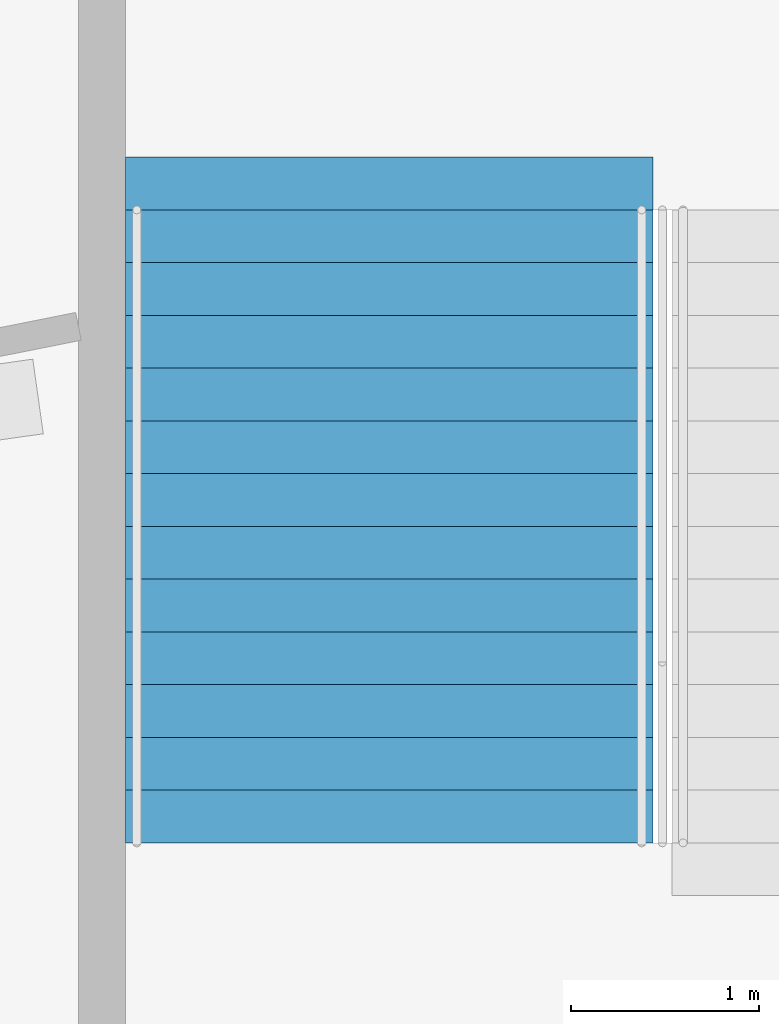
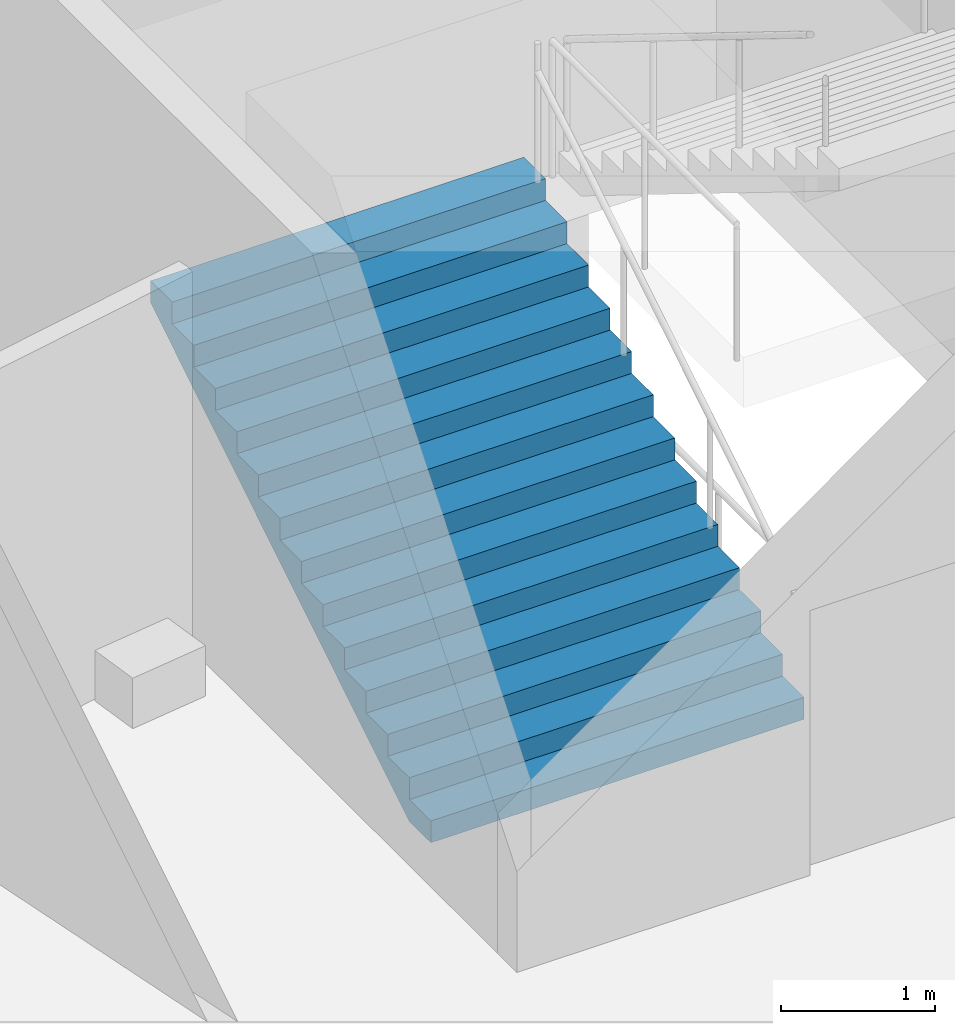
# One storey, part 140 of 177: 1 stair flight, 1 element without a shape of its own.
"""IFC4 building model written with IfcOpenShell, lengths in metres."""

from ifc_helpers import new_model, si_unit, direction, frame, origin, place, context, subcontext, project, spatial, faceted_brep, material, type_object, element, aggregate, save


model = new_model("IFC4")

# Units and contexts
model_context = context("Model", 3, precision=1e-05, world=origin(), true_north=direction((0.0, 1.0)))
body_context = subcontext(model_context, "Body", "Model", "MODEL_VIEW")
ifc_project = project(units=[si_unit("LENGTHUNIT", "METRE"), si_unit("AREAUNIT", "SQUARE_METRE"), si_unit("VOLUMEUNIT", "CUBIC_METRE"), si_unit("PLANEANGLEUNIT", "RADIAN"), si_unit("MASSUNIT", "GRAM", prefix="KILO")], contexts=[model_context])

# Site, building, storey
site_placement = place(None, origin())
site = spatial("IfcSite", under=ifc_project, at=site_placement, CompositionType="ELEMENT")
building_placement = place(site_placement, origin())
building = spatial("IfcBuilding", under=site, at=building_placement, Name="Ogive Plaza Stadium", CompositionType="ELEMENT")
storey_placement = place(building_placement, frame((0.0, 0.0, 18.0)))
storey = spatial("IfcBuildingStorey", under=building, at=storey_placement, Name="L04", CompositionType="ELEMENT", Elevation=18.0)

# Stair, stair flight
ifc_material_1 = material(Name="Concrete C40/50", Category="concrete")
stair_type = type_object("IfcStairType", Name="Exit stair", PredefinedType="STRAIGHT_RUN_STAIR", material=ifc_material_1)
stair_placement = place(storey_placement, origin())
stair = element("IfcStair", 1, at=stair_placement, inside=storey, type_object=stair_type, Name="Exit stair ST32B L04 to L05", PredefinedType="STRAIGHT_RUN_STAIR")
ifc_material_2 = material(Name="Concrete C40/50", Category="concrete")
stair_flight_type = type_object("IfcStairFlightType", Name="Exit stair flight", PredefinedType="STRAIGHT", material=ifc_material_2)
stair_flight_placement = place(storey_placement, frame((-38.425048828125, 94.85009765625, 0.0), z_axis=(0.0, 0.0, 1.0), x_axis=(0.0, 1.0, 0.0)))
stair_flight = element("IfcStairFlight", 2, at=stair_flight_placement, type_object=stair_flight_type, Name="ST32B flight 1", NumberOfRisers=13, NumberOfTreads=12, PredefinedType="STRAIGHT", RiserHeight=0.173076923, TreadLength=0.28, context=body_context, shape_type="Brep", body=[
    faceted_brep([(0.28515625, -1.39990234375, 0.0), (3.639892578125, -1.39990234375, 2.07373046875), (3.639892578125, -1.39990234375, 2.25), (3.360107421875, -1.39990234375, 2.25), (3.360107421875, -1.39990234375, 2.076904296875), (3.080078125, -1.39990234375, 2.076904296875), (3.080078125, -1.39990234375, 1.90380859375), (2.800048828125, -1.39990234375, 1.90380859375), (2.800048828125, -1.39990234375, 1.730712890625), (2.52001953125, -1.39990234375, 1.730712890625), (2.52001953125, -1.39990234375, 1.5576171875), (2.239990234375, -1.39990234375, 1.5576171875), (2.239990234375, -1.39990234375, 1.384521484375), (1.9599609375, -1.39990234375, 1.384521484375), (1.9599609375, -1.39990234375, 1.21142578125), (1.679931640625, -1.39990234375, 1.21142578125), (1.679931640625, -1.39990234375, 1.03857421875), (1.39990234375, -1.39990234375, 1.03857421875), (1.39990234375, -1.39990234375, 0.865478515625), (1.1201171875, -1.39990234375, 0.865478515625), (1.1201171875, -1.39990234375, 0.6923828125), (0.840087890625, -1.39990234375, 0.6923828125), (0.840087890625, -1.39990234375, 0.519287109375), (0.56005859375, -1.39990234375, 0.519287109375), (0.56005859375, -1.39990234375, 0.34619140625), (0.280029296875, -1.39990234375, 0.34619140625), (0.280029296875, -1.39990234375, 0.173095703125), (0.0, -1.39990234375, 0.173095703125), (0.0, -1.39990234375, 0.0), (0.0, 1.39990234375, 0.0), (0.0, 1.39990234375, 0.173095703125), (0.280029296875, 1.39990234375, 0.173095703125), (0.280029296875, 1.39990234375, 0.34619140625), (0.56005859375, 1.39990234375, 0.34619140625), (0.56005859375, 1.39990234375, 0.519287109375), (0.840087890625, 1.39990234375, 0.519287109375), (0.840087890625, 1.39990234375, 0.6923828125), (1.1201171875, 1.39990234375, 0.6923828125), (1.1201171875, 1.39990234375, 0.865478515625), (1.39990234375, 1.39990234375, 0.865478515625), (1.39990234375, 1.39990234375, 1.03857421875), (1.679931640625, 1.39990234375, 1.03857421875), (1.679931640625, 1.39990234375, 1.21142578125), (1.9599609375, 1.39990234375, 1.21142578125), (1.9599609375, 1.39990234375, 1.384521484375), (2.239990234375, 1.39990234375, 1.384521484375), (2.239990234375, 1.39990234375, 1.5576171875), (2.52001953125, 1.39990234375, 1.5576171875), (2.52001953125, 1.39990234375, 1.730712890625), (2.800048828125, 1.39990234375, 1.730712890625), (2.800048828125, 1.39990234375, 1.90380859375), (3.080078125, 1.39990234375, 1.90380859375), (3.080078125, 1.39990234375, 2.076904296875), (3.360107421875, 1.39990234375, 2.076904296875), (3.360107421875, 1.39990234375, 2.25), (3.639892578125, 1.39990234375, 2.25), (3.639892578125, 1.39990234375, 2.07373046875), (0.28515625, 1.39990234375, 0.0), (0.28515625, -1.0888671875, 0.0), (3.639892578125, -1.0888671875, 2.07373046875), (0.28515625, -0.77783203125, 0.0), (3.639892578125, -0.77783203125, 2.07373046875), (0.28515625, -0.466796875, 0.0), (3.639892578125, -0.466796875, 2.07373046875), (0.28515625, -0.155517578125, 0.0), (3.639892578125, -0.155517578125, 2.07373046875), (0.28515625, 0.155517578125, 0.0), (3.639892578125, 0.155517578125, 2.07373046875), (0.28515625, 0.466796875, 0.0), (3.639892578125, 0.466796875, 2.07373046875), (0.28515625, 0.77783203125, 0.0), (3.639892578125, 0.77783203125, 2.07373046875), (0.28515625, 1.0888671875, 0.0), (3.639892578125, 1.0888671875, 2.07373046875), (3.639892578125, -1.0888671875, 2.25), (3.639892578125, -0.77783203125, 2.25), (3.639892578125, -0.466796875, 2.25), (3.639892578125, -0.155517578125, 2.25), (3.639892578125, 0.155517578125, 2.25), (3.639892578125, 0.466796875, 2.25), (3.639892578125, 0.77783203125, 2.25), (3.639892578125, 1.0888671875, 2.25), (3.360107421875, -1.0888671875, 2.25), (3.360107421875, -0.77783203125, 2.25), (3.360107421875, -0.466796875, 2.25), (3.360107421875, -0.155517578125, 2.25), (3.360107421875, 0.155517578125, 2.25), (3.360107421875, 0.466796875, 2.25), (3.360107421875, 0.77783203125, 2.25), (3.360107421875, 1.0888671875, 2.25), (3.360107421875, -1.0888671875, 2.076904296875), (3.360107421875, -0.77783203125, 2.076904296875), (3.360107421875, -0.466796875, 2.076904296875), (3.360107421875, -0.155517578125, 2.076904296875), (3.360107421875, 0.155517578125, 2.076904296875), (3.360107421875, 0.466796875, 2.076904296875), (3.360107421875, 0.77783203125, 2.076904296875), (3.360107421875, 1.0888671875, 2.076904296875), (3.080078125, -1.0888671875, 2.076904296875), (3.080078125, -0.77783203125, 2.076904296875), (3.080078125, -0.466796875, 2.076904296875), (3.080078125, -0.155517578125, 2.076904296875), (3.080078125, 0.155517578125, 2.076904296875), (3.080078125, 0.466796875, 2.076904296875), (3.080078125, 0.77783203125, 2.076904296875), (3.080078125, 1.0888671875, 2.076904296875), (3.080078125, -1.0888671875, 1.90380859375), (3.080078125, -0.77783203125, 1.90380859375), (3.080078125, -0.466796875, 1.90380859375), (3.080078125, -0.155517578125, 1.90380859375), (3.080078125, 0.155517578125, 1.90380859375), (3.080078125, 0.466796875, 1.90380859375), (3.080078125, 0.77783203125, 1.90380859375), (3.080078125, 1.0888671875, 1.90380859375), (2.800048828125, -1.0888671875, 1.90380859375), (2.800048828125, -0.77783203125, 1.90380859375), (2.800048828125, -0.466796875, 1.90380859375), (2.800048828125, -0.155517578125, 1.90380859375), (2.800048828125, 0.155517578125, 1.90380859375), (2.800048828125, 0.466796875, 1.90380859375), (2.800048828125, 0.77783203125, 1.90380859375), (2.800048828125, 1.0888671875, 1.90380859375), (2.800048828125, -1.0888671875, 1.730712890625), (2.800048828125, -0.77783203125, 1.730712890625), (2.800048828125, -0.466796875, 1.730712890625), (2.800048828125, -0.155517578125, 1.730712890625), (2.800048828125, 0.155517578125, 1.730712890625), (2.800048828125, 0.466796875, 1.730712890625), (2.800048828125, 0.77783203125, 1.730712890625), (2.800048828125, 1.0888671875, 1.730712890625), (2.52001953125, -1.0888671875, 1.730712890625), (2.52001953125, -0.77783203125, 1.730712890625), (2.52001953125, -0.466796875, 1.730712890625), (2.52001953125, -0.155517578125, 1.730712890625), (2.52001953125, 0.155517578125, 1.730712890625), (2.52001953125, 0.466796875, 1.730712890625), (2.52001953125, 0.77783203125, 1.730712890625), (2.52001953125, 1.0888671875, 1.730712890625), (2.52001953125, -1.0888671875, 1.5576171875), (2.52001953125, -0.77783203125, 1.5576171875), (2.52001953125, -0.466796875, 1.5576171875), (2.52001953125, -0.155517578125, 1.5576171875), (2.52001953125, 0.155517578125, 1.5576171875), (2.52001953125, 0.466796875, 1.5576171875), (2.52001953125, 0.77783203125, 1.5576171875), (2.52001953125, 1.0888671875, 1.5576171875), (2.239990234375, -1.0888671875, 1.5576171875), (2.239990234375, -0.77783203125, 1.5576171875), (2.239990234375, -0.466796875, 1.5576171875), (2.239990234375, -0.155517578125, 1.5576171875), (2.239990234375, 0.155517578125, 1.5576171875), (2.239990234375, 0.466796875, 1.5576171875), (2.239990234375, 0.77783203125, 1.5576171875), (2.239990234375, 1.0888671875, 1.5576171875), (2.239990234375, -1.0888671875, 1.384521484375), (2.239990234375, -0.77783203125, 1.384521484375), (2.239990234375, -0.466796875, 1.384521484375), (2.239990234375, -0.155517578125, 1.384521484375), (2.239990234375, 0.155517578125, 1.384521484375), (2.239990234375, 0.466796875, 1.384521484375), (2.239990234375, 0.77783203125, 1.384521484375), (2.239990234375, 1.0888671875, 1.384521484375), (1.9599609375, -1.0888671875, 1.384521484375), (1.9599609375, -0.77783203125, 1.384521484375), (1.9599609375, -0.466796875, 1.384521484375), (1.9599609375, -0.155517578125, 1.384521484375), (1.9599609375, 0.155517578125, 1.384521484375), (1.9599609375, 0.466796875, 1.384521484375), (1.9599609375, 0.77783203125, 1.384521484375), (1.9599609375, 1.0888671875, 1.384521484375), (1.9599609375, -1.0888671875, 1.21142578125), (1.9599609375, -0.77783203125, 1.21142578125), (1.9599609375, -0.466796875, 1.21142578125), (1.9599609375, -0.155517578125, 1.21142578125), (1.9599609375, 0.155517578125, 1.21142578125), (1.9599609375, 0.466796875, 1.21142578125), (1.9599609375, 0.77783203125, 1.21142578125), (1.9599609375, 1.0888671875, 1.21142578125), (1.679931640625, -1.0888671875, 1.21142578125), (1.679931640625, -0.77783203125, 1.21142578125), (1.679931640625, -0.466796875, 1.21142578125), (1.679931640625, -0.155517578125, 1.21142578125), (1.679931640625, 0.155517578125, 1.21142578125), (1.679931640625, 0.466796875, 1.21142578125), (1.679931640625, 0.77783203125, 1.21142578125), (1.679931640625, 1.0888671875, 1.21142578125), (1.679931640625, -1.0888671875, 1.03857421875), (1.679931640625, -0.77783203125, 1.03857421875), (1.679931640625, -0.466796875, 1.03857421875), (1.679931640625, -0.155517578125, 1.03857421875), (1.679931640625, 0.155517578125, 1.03857421875), (1.679931640625, 0.466796875, 1.03857421875), (1.679931640625, 0.77783203125, 1.03857421875), (1.679931640625, 1.0888671875, 1.03857421875), (1.39990234375, -1.0888671875, 1.03857421875), (1.39990234375, -0.77783203125, 1.03857421875), (1.39990234375, -0.466796875, 1.03857421875), (1.39990234375, -0.155517578125, 1.03857421875), (1.39990234375, 0.155517578125, 1.03857421875), (1.39990234375, 0.466796875, 1.03857421875), (1.39990234375, 0.77783203125, 1.03857421875), (1.39990234375, 1.0888671875, 1.03857421875), (1.39990234375, -1.0888671875, 0.865478515625), (1.39990234375, -0.77783203125, 0.865478515625), (1.39990234375, -0.466796875, 0.865478515625), (1.39990234375, -0.155517578125, 0.865478515625), (1.39990234375, 0.155517578125, 0.865478515625), (1.39990234375, 0.466796875, 0.865478515625), (1.39990234375, 0.77783203125, 0.865478515625), (1.39990234375, 1.0888671875, 0.865478515625), (1.1201171875, -1.0888671875, 0.865478515625), (1.1201171875, -0.77783203125, 0.865478515625), (1.1201171875, -0.466796875, 0.865478515625), (1.1201171875, -0.155517578125, 0.865478515625), (1.1201171875, 0.155517578125, 0.865478515625), (1.1201171875, 0.466796875, 0.865478515625), (1.1201171875, 0.77783203125, 0.865478515625), (1.1201171875, 1.0888671875, 0.865478515625), (1.1201171875, -1.0888671875, 0.6923828125), (1.1201171875, -0.77783203125, 0.6923828125), (1.1201171875, -0.466796875, 0.6923828125), (1.1201171875, -0.155517578125, 0.6923828125), (1.1201171875, 0.155517578125, 0.6923828125), (1.1201171875, 0.466796875, 0.6923828125), (1.1201171875, 0.77783203125, 0.6923828125), (1.1201171875, 1.0888671875, 0.6923828125), (0.840087890625, -1.0888671875, 0.6923828125), (0.840087890625, -0.77783203125, 0.6923828125), (0.840087890625, -0.466796875, 0.6923828125), (0.840087890625, -0.155517578125, 0.6923828125), (0.840087890625, 0.155517578125, 0.6923828125), (0.840087890625, 0.466796875, 0.6923828125), (0.840087890625, 0.77783203125, 0.6923828125), (0.840087890625, 1.0888671875, 0.6923828125), (0.840087890625, -1.0888671875, 0.519287109375), (0.840087890625, -0.77783203125, 0.519287109375), (0.840087890625, -0.466796875, 0.519287109375), (0.840087890625, -0.155517578125, 0.519287109375), (0.840087890625, 0.155517578125, 0.519287109375), (0.840087890625, 0.466796875, 0.519287109375), (0.840087890625, 0.77783203125, 0.519287109375), (0.840087890625, 1.0888671875, 0.519287109375), (0.56005859375, -1.0888671875, 0.519287109375), (0.56005859375, -0.77783203125, 0.519287109375), (0.56005859375, -0.466796875, 0.519287109375), (0.56005859375, -0.155517578125, 0.519287109375), (0.56005859375, 0.155517578125, 0.519287109375), (0.56005859375, 0.466796875, 0.519287109375), (0.56005859375, 0.77783203125, 0.519287109375), (0.56005859375, 1.0888671875, 0.519287109375), (0.56005859375, -1.0888671875, 0.34619140625), (0.56005859375, -0.77783203125, 0.34619140625), (0.56005859375, -0.466796875, 0.34619140625), (0.56005859375, -0.155517578125, 0.34619140625), (0.56005859375, 0.155517578125, 0.34619140625), (0.56005859375, 0.466796875, 0.34619140625), (0.56005859375, 0.77783203125, 0.34619140625), (0.56005859375, 1.0888671875, 0.34619140625), (0.280029296875, -1.0888671875, 0.34619140625), (0.280029296875, -0.77783203125, 0.34619140625), (0.280029296875, -0.466796875, 0.34619140625), (0.280029296875, -0.155517578125, 0.34619140625), (0.280029296875, 0.155517578125, 0.34619140625), (0.280029296875, 0.466796875, 0.34619140625), (0.280029296875, 0.77783203125, 0.34619140625), (0.280029296875, 1.0888671875, 0.34619140625), (0.280029296875, -1.0888671875, 0.173095703125), (0.280029296875, -0.77783203125, 0.173095703125), (0.280029296875, -0.466796875, 0.173095703125), (0.280029296875, -0.155517578125, 0.173095703125), (0.280029296875, 0.155517578125, 0.173095703125), (0.280029296875, 0.466796875, 0.173095703125), (0.280029296875, 0.77783203125, 0.173095703125), (0.280029296875, 1.0888671875, 0.173095703125), (0.0, -1.0888671875, 0.173095703125), (0.0, -0.77783203125, 0.173095703125), (0.0, -0.466796875, 0.173095703125), (0.0, -0.155517578125, 0.173095703125), (0.0, 0.155517578125, 0.173095703125), (0.0, 0.466796875, 0.173095703125), (0.0, 0.77783203125, 0.173095703125), (0.0, 1.0888671875, 0.173095703125), (0.0, -1.0888671875, 0.0), (0.0, -0.77783203125, 0.0), (0.0, -0.466796875, 0.0), (0.0, -0.155517578125, 0.0), (0.0, 0.155517578125, 0.0), (0.0, 0.466796875, 0.0), (0.0, 0.77783203125, 0.0), (0.0, 1.0888671875, 0.0)], [[[0, 1, 2, 3, 4, 5, 6, 7, 8, 9, 10, 11, 12, 13, 14, 15, 16, 17, 18, 19, 20, 21, 22, 23, 24, 25, 26, 27, 28]], [[29, 30, 31, 32, 33, 34, 35, 36, 37, 38, 39, 40, 41, 42, 43, 44, 45, 46, 47, 48, 49, 50, 51, 52, 53, 54, 55, 56, 57]], [[0, 58, 59, 1]], [[58, 60, 61, 59]], [[60, 62, 63, 61]], [[62, 64, 65, 63]], [[64, 66, 67, 65]], [[66, 68, 69, 67]], [[68, 70, 71, 69]], [[70, 72, 73, 71]], [[72, 57, 56, 73]], [[1, 59, 74, 2]], [[59, 61, 75, 74]], [[61, 63, 76, 75]], [[63, 65, 77, 76]], [[65, 67, 78, 77]], [[67, 69, 79, 78]], [[69, 71, 80, 79]], [[71, 73, 81, 80]], [[73, 56, 55, 81]], [[2, 74, 82, 3]], [[74, 75, 83, 82]], [[75, 76, 84, 83]], [[76, 77, 85, 84]], [[77, 78, 86, 85]], [[78, 79, 87, 86]], [[79, 80, 88, 87]], [[80, 81, 89, 88]], [[81, 55, 54, 89]], [[3, 82, 90, 4]], [[82, 83, 91, 90]], [[83, 84, 92, 91]], [[84, 85, 93, 92]], [[85, 86, 94, 93]], [[86, 87, 95, 94]], [[87, 88, 96, 95]], [[88, 89, 97, 96]], [[89, 54, 53, 97]], [[4, 90, 98, 5]], [[90, 91, 99, 98]], [[91, 92, 100, 99]], [[92, 93, 101, 100]], [[93, 94, 102, 101]], [[94, 95, 103, 102]], [[95, 96, 104, 103]], [[96, 97, 105, 104]], [[97, 53, 52, 105]], [[5, 98, 106, 6]], [[98, 99, 107, 106]], [[99, 100, 108, 107]], [[100, 101, 109, 108]], [[101, 102, 110, 109]], [[102, 103, 111, 110]], [[103, 104, 112, 111]], [[104, 105, 113, 112]], [[105, 52, 51, 113]], [[6, 106, 114, 7]], [[106, 107, 115, 114]], [[107, 108, 116, 115]], [[108, 109, 117, 116]], [[109, 110, 118, 117]], [[110, 111, 119, 118]], [[111, 112, 120, 119]], [[112, 113, 121, 120]], [[113, 51, 50, 121]], [[7, 114, 122, 8]], [[114, 115, 123, 122]], [[115, 116, 124, 123]], [[116, 117, 125, 124]], [[117, 118, 126, 125]], [[118, 119, 127, 126]], [[119, 120, 128, 127]], [[120, 121, 129, 128]], [[121, 50, 49, 129]], [[8, 122, 130, 9]], [[122, 123, 131, 130]], [[123, 124, 132, 131]], [[124, 125, 133, 132]], [[125, 126, 134, 133]], [[126, 127, 135, 134]], [[127, 128, 136, 135]], [[128, 129, 137, 136]], [[129, 49, 48, 137]], [[9, 130, 138, 10]], [[130, 131, 139, 138]], [[131, 132, 140, 139]], [[132, 133, 141, 140]], [[133, 134, 142, 141]], [[134, 135, 143, 142]], [[135, 136, 144, 143]], [[136, 137, 145, 144]], [[137, 48, 47, 145]], [[10, 138, 146, 11]], [[138, 139, 147, 146]], [[139, 140, 148, 147]], [[140, 141, 149, 148]], [[141, 142, 150, 149]], [[142, 143, 151, 150]], [[143, 144, 152, 151]], [[144, 145, 153, 152]], [[145, 47, 46, 153]], [[11, 146, 154, 12]], [[146, 147, 155, 154]], [[147, 148, 156, 155]], [[148, 149, 157, 156]], [[149, 150, 158, 157]], [[150, 151, 159, 158]], [[151, 152, 160, 159]], [[152, 153, 161, 160]], [[153, 46, 45, 161]], [[12, 154, 162, 13]], [[154, 155, 163, 162]], [[155, 156, 164, 163]], [[156, 157, 165, 164]], [[157, 158, 166, 165]], [[158, 159, 167, 166]], [[159, 160, 168, 167]], [[160, 161, 169, 168]], [[161, 45, 44, 169]], [[13, 162, 170, 14]], [[162, 163, 171, 170]], [[163, 164, 172, 171]], [[164, 165, 173, 172]], [[165, 166, 174, 173]], [[166, 167, 175, 174]], [[167, 168, 176, 175]], [[168, 169, 177, 176]], [[169, 44, 43, 177]], [[14, 170, 178, 15]], [[170, 171, 179, 178]], [[171, 172, 180, 179]], [[172, 173, 181, 180]], [[173, 174, 182, 181]], [[174, 175, 183, 182]], [[175, 176, 184, 183]], [[176, 177, 185, 184]], [[177, 43, 42, 185]], [[15, 178, 186, 16]], [[178, 179, 187, 186]], [[179, 180, 188, 187]], [[180, 181, 189, 188]], [[181, 182, 190, 189]], [[182, 183, 191, 190]], [[183, 184, 192, 191]], [[184, 185, 193, 192]], [[185, 42, 41, 193]], [[16, 186, 194, 17]], [[186, 187, 195, 194]], [[187, 188, 196, 195]], [[188, 189, 197, 196]], [[189, 190, 198, 197]], [[190, 191, 199, 198]], [[191, 192, 200, 199]], [[192, 193, 201, 200]], [[193, 41, 40, 201]], [[17, 194, 202, 18]], [[194, 195, 203, 202]], [[195, 196, 204, 203]], [[196, 197, 205, 204]], [[197, 198, 206, 205]], [[198, 199, 207, 206]], [[199, 200, 208, 207]], [[200, 201, 209, 208]], [[201, 40, 39, 209]], [[18, 202, 210, 19]], [[202, 203, 211, 210]], [[203, 204, 212, 211]], [[204, 205, 213, 212]], [[205, 206, 214, 213]], [[206, 207, 215, 214]], [[207, 208, 216, 215]], [[208, 209, 217, 216]], [[209, 39, 38, 217]], [[19, 210, 218, 20]], [[210, 211, 219, 218]], [[211, 212, 220, 219]], [[212, 213, 221, 220]], [[213, 214, 222, 221]], [[214, 215, 223, 222]], [[215, 216, 224, 223]], [[216, 217, 225, 224]], [[217, 38, 37, 225]], [[20, 218, 226, 21]], [[218, 219, 227, 226]], [[219, 220, 228, 227]], [[220, 221, 229, 228]], [[221, 222, 230, 229]], [[222, 223, 231, 230]], [[223, 224, 232, 231]], [[224, 225, 233, 232]], [[225, 37, 36, 233]], [[21, 226, 234, 22]], [[226, 227, 235, 234]], [[227, 228, 236, 235]], [[228, 229, 237, 236]], [[229, 230, 238, 237]], [[230, 231, 239, 238]], [[231, 232, 240, 239]], [[232, 233, 241, 240]], [[233, 36, 35, 241]], [[22, 234, 242, 23]], [[234, 235, 243, 242]], [[235, 236, 244, 243]], [[236, 237, 245, 244]], [[237, 238, 246, 245]], [[238, 239, 247, 246]], [[239, 240, 248, 247]], [[240, 241, 249, 248]], [[241, 35, 34, 249]], [[23, 242, 250, 24]], [[242, 243, 251, 250]], [[243, 244, 252, 251]], [[244, 245, 253, 252]], [[245, 246, 254, 253]], [[246, 247, 255, 254]], [[247, 248, 256, 255]], [[248, 249, 257, 256]], [[249, 34, 33, 257]], [[24, 250, 258, 25]], [[250, 251, 259, 258]], [[251, 252, 260, 259]], [[252, 253, 261, 260]], [[253, 254, 262, 261]], [[254, 255, 263, 262]], [[255, 256, 264, 263]], [[256, 257, 265, 264]], [[257, 33, 32, 265]], [[25, 258, 266, 26]], [[258, 259, 267, 266]], [[259, 260, 268, 267]], [[260, 261, 269, 268]], [[261, 262, 270, 269]], [[262, 263, 271, 270]], [[263, 264, 272, 271]], [[264, 265, 273, 272]], [[265, 32, 31, 273]], [[26, 266, 274, 27]], [[266, 267, 275, 274]], [[267, 268, 276, 275]], [[268, 269, 277, 276]], [[269, 270, 278, 277]], [[270, 271, 279, 278]], [[271, 272, 280, 279]], [[272, 273, 281, 280]], [[273, 31, 30, 281]], [[27, 274, 282, 28]], [[274, 275, 283, 282]], [[275, 276, 284, 283]], [[276, 277, 285, 284]], [[277, 278, 286, 285]], [[278, 279, 287, 286]], [[279, 280, 288, 287]], [[280, 281, 289, 288]], [[281, 30, 29, 289]], [[28, 282, 58, 0]], [[282, 283, 60, 58]], [[283, 284, 62, 60]], [[284, 285, 64, 62]], [[285, 286, 66, 64]], [[286, 287, 68, 66]], [[287, 288, 70, 68]], [[288, 289, 72, 70]], [[289, 29, 57, 72]]]),
])
aggregate(stair, [stair_flight])

save(model, "model.ifc")
